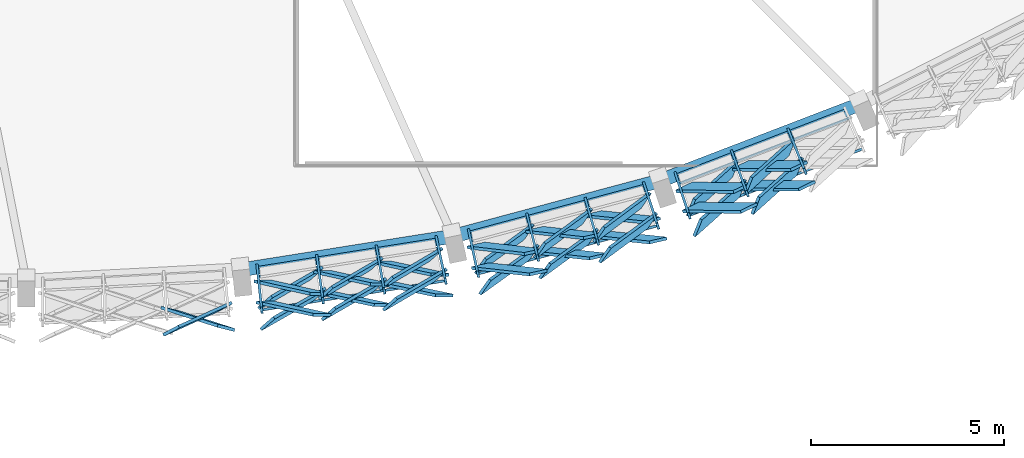
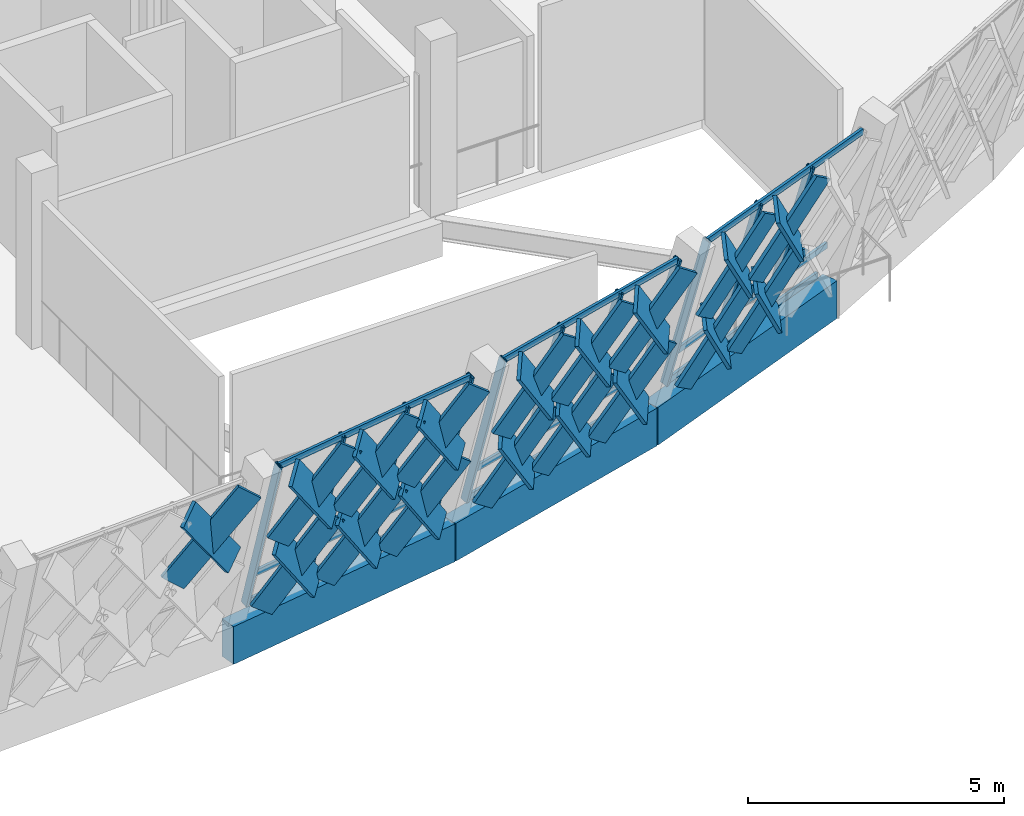
# One storey, part 47 of 107: 54 members, 3 beams, 4 elements without a shape of their own.
"""IFC4 building model written with IfcOpenShell, lengths in metres."""

from ifc_helpers import new_model, si_unit, direction, frame, origin, origin_2d, place, context, subcontext, project, spatial, rectangle, hollow_rectangle, extrude, material, material_profile, profile_set, type_object, element, aggregate, save


model = new_model("IFC4")

# Units and contexts
model_context = context("Model", 3, precision=1e-05, world=origin(), true_north=direction((0.0, 1.0)))
body_context = subcontext(model_context, "Body", "Model", "MODEL_VIEW")
ifc_project = project(units=[si_unit("LENGTHUNIT", "METRE"), si_unit("AREAUNIT", "SQUARE_METRE"), si_unit("VOLUMEUNIT", "CUBIC_METRE"), si_unit("PLANEANGLEUNIT", "RADIAN"), si_unit("MASSUNIT", "GRAM", prefix="KILO")], contexts=[model_context])

# Site, building, storey
site_placement = place(None, origin())
site = spatial("IfcSite", under=ifc_project, at=site_placement, CompositionType="ELEMENT")
building_placement = place(site_placement, origin())
building = spatial("IfcBuilding", under=site, at=building_placement, Name="Chiffa Square Polytechnic", CompositionType="ELEMENT")
storey_placement = place(building_placement, frame((0.0, 0.0, 13.800048828125)))
storey = spatial("IfcBuildingStorey", under=building, at=storey_placement, Name="L03", CompositionType="ELEMENT", Elevation=13.800048828125)

# Curtain wall, members
ifc_material_1 = material(Name="Aluminium EN AW-6060 T66 and glulam shading", Category="wood")
curtain_wall_type_1 = type_object("IfcCurtainWallType", Name="CW-PROW-LEAN-300", PredefinedType="USERDEFINED", material=ifc_material_1)
curtain_wall_1_placement = place(storey_placement, origin())
curtain_wall_1 = element("IfcCurtainWall", 1, at=curtain_wall_1_placement, inside=storey, type_object=curtain_wall_type_1, Name="Outward-leaning diamond-fin prow curtain wall CW-V1-L03-047", ObjectType="CURTAIN WALL", PredefinedType="USERDEFINED")
ifc_material_2 = material(Name="Aluminium EN AW-6060 T66", Category="aluminium")
ifc_material_profile_1 = material_profile(ifc_material_2, hollow_rectangle(XDim=0.06494140625, YDim=0.179931640625, WallThickness=0.00390625, at=origin_2d()), Name="ALU 65x180x4")
ifc_profile_set_1 = profile_set([ifc_material_profile_1], Name="Aluminium EN AW-6060 T66")
member_type_1 = type_object("IfcMemberType", Name="CWM-ALU-75X180", PredefinedType="MULLION", material=ifc_profile_set_1)
member_1_placement = place(storey_placement, frame((129.18505859375, 4.52001953125, 0.0), z_axis=(0.028414651045, -0.270917977705, 0.96218296439), x_axis=(0.994544759726, 0.10431069409, 0.0)))
member_1 = element("IfcMember", 2, at=member_1_placement, type_object=member_type_1, Name="Leaning prow mullion CW-V1-L03-047-M00", PredefinedType="MULLION", context=body_context, shape_type="SweptSolid", body=[
    extrude(hollow_rectangle(XDim=0.06494140625, YDim=0.179931640625, WallThickness=0.00390625, at=origin_2d()), origin(), (0.0, 0.0, 1.0), 4.11572265625),
])
member_2_placement = place(storey_placement, frame((130.734619140625, 4.765625, 0.0), z_axis=(0.03773211259, -0.269404910805, 0.96228752549), x_axis=(0.99033395934, 0.138703456979, 0.0)))
member_2 = element("IfcMember", 3, at=member_2_placement, type_object=member_type_1, Name="Leaning prow mullion CW-V1-L03-047-M01", PredefinedType="MULLION", context=body_context, shape_type="SweptSolid", body=[
    extrude(hollow_rectangle(XDim=0.06494140625, YDim=0.179931640625, WallThickness=0.00390625, at=origin_2d()), origin(), (0.0, 0.0, 1.0), 4.115234375),
])
member_3_placement = place(storey_placement, frame((132.2841796875, 5.01123046875, 0.0), z_axis=(0.047106602409, -0.267866889014, 0.962303641155), x_axis=(0.984886597407, 0.173200433741, 0.0)))
member_3 = element("IfcMember", 4, at=member_3_placement, type_object=member_type_1, Name="Leaning prow mullion CW-V1-L03-047-M02", PredefinedType="MULLION", context=body_context, shape_type="SweptSolid", body=[
    extrude(hollow_rectangle(XDim=0.06494140625, YDim=0.179931640625, WallThickness=0.00390625, at=origin_2d()), origin(), (0.0, 0.0, 1.0), 4.114990234375),
])
member_4_placement = place(storey_placement, frame((133.833984375, 5.257080078125, 0.0), z_axis=(0.056357148485, -0.266361680735, 0.96222415624), x_axis=(0.978341217953, 0.206998698676, 0.0)))
member_4 = element("IfcMember", 5, at=member_4_placement, type_object=member_type_1, Name="Leaning prow mullion CW-V1-L03-047-M03", PredefinedType="MULLION", context=body_context, shape_type="SweptSolid", body=[
    extrude(hollow_rectangle(XDim=0.06494140625, YDim=0.179931640625, WallThickness=0.00390625, at=origin_2d()), origin(), (0.0, 0.0, 1.0), 4.115478515625),
])

curtain_wall_type_2 = type_object("IfcCurtainWallType", Name="CW-PROW-LEAN-150", PredefinedType="USERDEFINED", material=ifc_material_1)
curtain_wall_2_placement = place(storey_placement, origin())
curtain_wall_2 = element("IfcCurtainWall", 6, at=curtain_wall_2_placement, inside=storey, type_object=curtain_wall_type_2, Name="Outward-leaning diamond-fin prow curtain wall CW-V1-L03-048", ObjectType="CURTAIN WALL", PredefinedType="USERDEFINED")
member_5_placement = place(storey_placement, frame((134.674072265625, 5.43505859375, 0.0), z_axis=(0.056358038932, -0.266306565017, 0.962239359451), x_axis=(0.978331878572, 0.207042834628, 0.0)))
member_5 = element("IfcMember", 7, at=member_5_placement, type_object=member_type_1, Name="Leaning prow mullion CW-V1-L03-048-M00", PredefinedType="MULLION", context=body_context, shape_type="SweptSolid", body=[
    extrude(hollow_rectangle(XDim=0.06494140625, YDim=0.179931640625, WallThickness=0.00390625, at=origin_2d()), origin(), (0.0, 0.0, 1.0), 4.115478515625),
])
member_6_placement = place(storey_placement, frame((136.189697265625, 5.84130859375, 0.0), z_axis=(0.065617897015, -0.263895484558, 0.962316717521), x_axis=(0.970449731897, 0.241303373084, 0.0)))
member_6 = element("IfcMember", 8, at=member_6_placement, type_object=member_type_1, Name="Leaning prow mullion CW-V1-L03-048-M01", PredefinedType="MULLION", context=body_context, shape_type="SweptSolid", body=[
    extrude(hollow_rectangle(XDim=0.06494140625, YDim=0.179931640625, WallThickness=0.00390625, at=origin_2d()), origin(), (0.0, 0.0, 1.0), 4.114990234375),
])
member_7_placement = place(storey_placement, frame((137.705322265625, 6.247802734375, 0.0), z_axis=(0.074812230329, -0.2615165038, 0.962295302095), x_axis=(0.961433358778, 0.275037991247, 0.0)))
member_7 = element("IfcMember", 9, at=member_7_placement, type_object=member_type_1, Name="Leaning prow mullion CW-V1-L03-048-M02", PredefinedType="MULLION", context=body_context, shape_type="SweptSolid", body=[
    extrude(hollow_rectangle(XDim=0.06494140625, YDim=0.179931640625, WallThickness=0.00390625, at=origin_2d()), origin(), (0.0, 0.0, 1.0), 4.115234375),
])
member_8_placement = place(storey_placement, frame((139.220947265625, 6.654052734375, 0.0), z_axis=(0.084058772907, -0.2590576297, 0.962197104128), x_axis=(0.951179621769, 0.308637857579, 0.0)))
member_8 = element("IfcMember", 10, at=member_8_placement, type_object=member_type_1, Name="Leaning prow mullion CW-V1-L03-048-M03", PredefinedType="MULLION", context=body_context, shape_type="SweptSolid", body=[
    extrude(hollow_rectangle(XDim=0.06494140625, YDim=0.179931640625, WallThickness=0.00390625, at=origin_2d()), origin(), (0.0, 0.0, 1.0), 4.115478515625),
])

curtain_wall_3_placement = place(storey_placement, origin())
curtain_wall_3 = element("IfcCurtainWall", 11, at=curtain_wall_3_placement, inside=storey, type_object=curtain_wall_type_1, Name="Outward-leaning diamond-fin prow curtain wall CW-V1-L03-049", ObjectType="CURTAIN WALL", PredefinedType="USERDEFINED")
member_9_placement = place(storey_placement, frame((140.037109375, 6.9189453125, 0.0), z_axis=(0.084060064581, -0.259002287904, 0.962211889556), x_axis=(0.951158867248, 0.308701812847, 0.0)))
member_9 = element("IfcMember", 12, at=member_9_placement, type_object=member_type_1, Name="Leaning prow mullion CW-V1-L03-049-M00", PredefinedType="MULLION", context=body_context, shape_type="SweptSolid", body=[
    extrude(hollow_rectangle(XDim=0.06494140625, YDim=0.179931640625, WallThickness=0.00390625, at=origin_2d()), origin(), (0.0, 0.0, 1.0), 4.115478515625),
])
member_10_placement = place(storey_placement, frame((141.502197265625, 7.481201171875, 0.0), z_axis=(0.092966116473, -0.255641988438, 0.962291263046), x_axis=(0.939787055482, 0.341760574597, 0.0)))
member_10 = element("IfcMember", 13, at=member_10_placement, type_object=member_type_1, Name="Leaning prow mullion CW-V1-L03-049-M01", PredefinedType="MULLION", context=body_context, shape_type="SweptSolid", body=[
    extrude(hollow_rectangle(XDim=0.06494140625, YDim=0.179931640625, WallThickness=0.00390625, at=origin_2d()), origin(), (0.0, 0.0, 1.0), 4.115234375),
])
member_11_placement = place(storey_placement, frame((142.9677734375, 8.043701171875, 0.0), z_axis=(0.101688266541, -0.252262840916, 0.962300865395), x_axis=(0.927480514291, 0.373871496118, 0.0)))
member_11 = element("IfcMember", 14, at=member_11_placement, type_object=member_type_1, Name="Leaning prow mullion CW-V1-L03-049-M02", PredefinedType="MULLION", context=body_context, shape_type="SweptSolid", body=[
    extrude(hollow_rectangle(XDim=0.06494140625, YDim=0.179931640625, WallThickness=0.00390625, at=origin_2d()), origin(), (0.0, 0.0, 1.0), 4.114990234375),
])

curtain_wall_4_placement = place(storey_placement, origin())
curtain_wall_4 = element("IfcCurtainWall", 15, at=curtain_wall_4_placement, inside=storey, type_object=curtain_wall_type_2, Name="Outward-leaning diamond-fin prow curtain wall CW-V1-L03-046", ObjectType="CURTAIN WALL", PredefinedType="USERDEFINED")
ifc_material_3 = material(Name="Glulam GL28h", Category="wood")
ifc_material_profile_2 = material_profile(ifc_material_3, rectangle(XDim=0.080078125, YDim=0.580078125, at=origin_2d()), Name="GL28h 80x580")
ifc_profile_set_2 = profile_set([ifc_material_profile_2], Name="Glulam GL28h")
member_type_2 = type_object("IfcMemberType", Name="CWM-GL-80X580", PredefinedType="MULLION", material=ifc_profile_set_2)
member_12_placement = place(storey_placement, frame((126.909912109375, 3.419921875, 1.97998046875), z_axis=(0.592387705561, -0.190434963388, 0.782822668949), x_axis=(0.26662170968, 0.963250919495, 0.032565779899)))
member_12 = element("IfcMember", 16, at=member_12_placement, type_object=member_type_2, Name="Diamond glulam fin CW-V1-L03-046-DF06A", PredefinedType="MULLION", context=body_context, shape_type="SweptSolid", body=[
    extrude(rectangle(XDim=0.080078125, YDim=0.580078125, at=origin_2d()), origin(), (0.0, 0.0, 1.0), 2.47802734375),
])
member_13_placement = place(storey_placement, frame((128.322021484375, 3.493896484375, 1.97998046875), z_axis=(-0.558958630223, -0.252743918325, 0.789737780184), x_axis=(0.449103726799, -0.892902625256, 0.032105208091)))
member_13 = element("IfcMember", 17, at=member_13_placement, type_object=member_type_2, Name="Diamond glulam fin CW-V1-L03-046-DF06B", PredefinedType="MULLION", context=body_context, shape_type="SweptSolid", body=[
    extrude(rectangle(XDim=0.080078125, YDim=0.580078125, at=origin_2d()), origin(), (0.0, 0.0, 1.0), 2.45654296875),
])
aggregate(curtain_wall_4, [member_12, member_13])

# Member
member_14_placement = place(storey_placement, frame((129.330078125, 4.152099609375, 0.0400390625), z_axis=(0.594644185815, -0.132919291073, 0.792925440591), x_axis=(0.094404875671, 0.990960198147, 0.095318440701)))
member_14 = element("IfcMember", 18, at=member_14_placement, type_object=member_type_2, Name="Diamond glulam fin CW-V1-L03-047-DF01A", PredefinedType="MULLION", context=body_context, shape_type="SweptSolid", body=[
    extrude(rectangle(XDim=0.080078125, YDim=0.580078125, at=origin_2d()), origin(), (0.0, 0.0, 1.0), 2.446533203125),
])

member_15_placement = place(storey_placement, frame((130.7099609375, 4.37109375, 0.0400390625), z_axis=(-0.535140171109, -0.3099481235, 0.785848050201), x_axis=(0.601402186735, -0.793067694014, 0.096742144398)))
member_15 = element("IfcMember", 19, at=member_15_placement, type_object=member_type_2, Name="Diamond glulam fin CW-V1-L03-047-DF01B", PredefinedType="MULLION", context=body_context, shape_type="SweptSolid", body=[
    extrude(rectangle(XDim=0.080078125, YDim=0.580078125, at=origin_2d()), origin(), (0.0, 0.0, 1.0), 2.468505859375),
])

member_16_placement = place(storey_placement, frame((129.388916015625, 3.60595703125, 1.97998046875), z_axis=(0.599042211403, -0.131121254039, 0.789908631233), x_axis=(0.090478970271, 0.9912674188, 0.095929455141)))
member_16 = element("IfcMember", 20, at=member_16_placement, type_object=member_type_2, Name="Diamond glulam fin CW-V1-L03-047-DF02A", PredefinedType="MULLION", context=body_context, shape_type="SweptSolid", body=[
    extrude(rectangle(XDim=0.080078125, YDim=0.580078125, at=origin_2d()), origin(), (0.0, 0.0, 1.0), 2.455810546875),
])

member_17_placement = place(storey_placement, frame((130.784912109375, 3.826904296875, 1.97998046875), z_axis=(-0.53986821085, -0.30943906027, 0.782808905732), x_axis=(0.59740203539, -0.796011997169, 0.097343250797)))
member_17 = element("IfcMember", 21, at=member_17_placement, type_object=member_type_2, Name="Diamond glulam fin CW-V1-L03-047-DF02B", PredefinedType="MULLION", context=body_context, shape_type="SweptSolid", body=[
    extrude(rectangle(XDim=0.080078125, YDim=0.580078125, at=origin_2d()), origin(), (0.0, 0.0, 1.0), 2.478271484375),
])

member_18_placement = place(storey_placement, frame((130.8798828125, 4.39794921875, 0.0400390625), z_axis=(0.599806227658, -0.13102756116, 0.78934420089), x_axis=(0.090153686684, 0.991286052982, 0.096043083776)))
member_18 = element("IfcMember", 22, at=member_18_placement, type_object=member_type_2, Name="Diamond glulam fin CW-V1-L03-047-DF03A", PredefinedType="MULLION", context=body_context, shape_type="SweptSolid", body=[
    extrude(rectangle(XDim=0.080078125, YDim=0.580078125, at=origin_2d()), origin(), (0.0, 0.0, 1.0), 2.457763671875),
])

member_19_placement = place(storey_placement, frame((132.260009765625, 4.615966796875, 0.0400390625), z_axis=(-0.530164526465, -0.309635156266, 0.789336205227), x_axis=(0.60474086052, -0.79060983347, 0.096044691879)))
member_19 = element("IfcMember", 23, at=member_19_placement, type_object=member_type_2, Name="Diamond glulam fin CW-V1-L03-047-DF03B", PredefinedType="MULLION", context=body_context, shape_type="SweptSolid", body=[
    extrude(rectangle(XDim=0.080078125, YDim=0.580078125, at=origin_2d()), origin(), (0.0, 0.0, 1.0), 2.457763671875),
])

member_20_placement = place(storey_placement, frame((130.95703125, 3.85498046875, 1.97998046875), z_axis=(0.604009460327, -0.129352837071, 0.786409826603), x_axis=(0.086536567161, 0.991551307239, 0.096630366119)))
member_20 = element("IfcMember", 24, at=member_20_placement, type_object=member_type_2, Name="Diamond glulam fin CW-V1-L03-047-DF04A", PredefinedType="MULLION", context=body_context, shape_type="SweptSolid", body=[
    extrude(rectangle(XDim=0.080078125, YDim=0.580078125, at=origin_2d()), origin(), (0.0, 0.0, 1.0), 2.466796875),
])

member_21_placement = place(storey_placement, frame((132.35400390625, 4.075927734375, 1.97998046875), z_axis=(-0.534939739728, -0.309566570299, 0.786134857014), x_axis=(0.601146213644, -0.793268693783, 0.096685103741)))
member_21 = element("IfcMember", 25, at=member_21_placement, type_object=member_type_2, Name="Diamond glulam fin CW-V1-L03-047-DF04B", PredefinedType="MULLION", context=body_context, shape_type="SweptSolid", body=[
    extrude(rectangle(XDim=0.080078125, YDim=0.580078125, at=origin_2d()), origin(), (0.0, 0.0, 1.0), 2.4677734375),
])

member_22_placement = place(storey_placement, frame((132.429931640625, 4.64306640625, 0.0400390625), z_axis=(0.604605647733, -0.128894168684, 0.786026910486), x_axis=(0.085675495161, 0.991618650066, 0.096706578733)))
member_22 = element("IfcMember", 26, at=member_22_placement, type_object=member_type_2, Name="Diamond glulam fin CW-V1-L03-047-DF05A", PredefinedType="MULLION", context=body_context, shape_type="SweptSolid", body=[
    extrude(rectangle(XDim=0.080078125, YDim=0.580078125, at=origin_2d()), origin(), (0.0, 0.0, 1.0), 2.468017578125),
])

member_23_placement = place(storey_placement, frame((133.81005859375, 4.862060546875, 0.0400390625), z_axis=(-0.524826903271, -0.309807516095, 0.792827865664), x_axis=(0.608889828108, -0.787504784482, 0.095338301036)))
member_23 = element("IfcMember", 27, at=member_23_placement, type_object=member_type_2, Name="Diamond glulam fin CW-V1-L03-047-DF05B", PredefinedType="MULLION", context=body_context, shape_type="SweptSolid", body=[
    extrude(rectangle(XDim=0.080078125, YDim=0.580078125, at=origin_2d()), origin(), (0.0, 0.0, 1.0), 2.44677734375),
])

member_24_placement = place(storey_placement, frame((132.52587890625, 4.10400390625, 1.97998046875), z_axis=(0.608978483424, -0.127490399215, 0.782873811565), x_axis=(0.082516457881, 0.991825495019, 0.097330476264)))
member_24 = element("IfcMember", 28, at=member_24_placement, type_object=member_type_2, Name="Diamond glulam fin CW-V1-L03-047-DF06A", PredefinedType="MULLION", context=body_context, shape_type="SweptSolid", body=[
    extrude(rectangle(XDim=0.080078125, YDim=0.580078125, at=origin_2d()), origin(), (0.0, 0.0, 1.0), 2.47802734375),
])

member_25_placement = place(storey_placement, frame((133.922119140625, 4.324951171875, 1.97998046875), z_axis=(-0.52930671811, -0.3098308057, 0.789834963776), x_axis=(0.605583355151, -0.789976893133, 0.095944297796)))
member_25 = element("IfcMember", 29, at=member_25_placement, type_object=member_type_2, Name="Diamond glulam fin CW-V1-L03-047-DF06B", PredefinedType="MULLION", context=body_context, shape_type="SweptSolid", body=[
    extrude(rectangle(XDim=0.080078125, YDim=0.580078125, at=origin_2d()), origin(), (0.0, 0.0, 1.0), 2.4560546875),
])

member_26_placement = place(storey_placement, frame((134.85693359375, 5.083984375, 0.0400390625), z_axis=(0.605061257177, -0.069868505448, 0.793107348982), x_axis=(-0.093113768587, 0.983096551284, 0.157641989816)))
member_26 = element("IfcMember", 30, at=member_26_placement, type_object=member_type_2, Name="Diamond glulam fin CW-V1-L03-048-DF01A", PredefinedType="MULLION", context=body_context, shape_type="SweptSolid", body=[
    extrude(rectangle(XDim=0.080078125, YDim=0.580078125, at=origin_2d()), origin(), (0.0, 0.0, 1.0), 2.446044921875),
])

member_27_placement = place(storey_placement, frame((136.2060546875, 5.446044921875, 0.0400390625), z_axis=(-0.49990961203, -0.36412802997, 0.785812418832), x_axis=(0.733095587007, -0.66102064743, 0.160070496914)))
member_27 = element("IfcMember", 31, at=member_27_placement, type_object=member_type_2, Name="Diamond glulam fin CW-V1-L03-048-DF01B", PredefinedType="MULLION", context=body_context, shape_type="SweptSolid", body=[
    extrude(rectangle(XDim=0.080078125, YDim=0.580078125, at=origin_2d()), origin(), (0.0, 0.0, 1.0), 2.46875),
])

member_28_placement = place(storey_placement, frame((134.971923828125, 4.547119140625, 1.97998046875), z_axis=(0.609545333417, -0.067594720601, 0.78986419102), x_axis=(-0.096723923936, 0.982572941009, 0.15872900849)))
member_28 = element("IfcMember", 32, at=member_28_placement, type_object=member_type_2, Name="Diamond glulam fin CW-V1-L03-048-DF02A", PredefinedType="MULLION", context=body_context, shape_type="SweptSolid", body=[
    extrude(rectangle(XDim=0.080078125, YDim=0.580078125, at=origin_2d()), origin(), (0.0, 0.0, 1.0), 2.4560546875),
])

member_29_placement = place(storey_placement, frame((136.3369140625, 4.9130859375, 1.97998046875), z_axis=(-0.504766793452, -0.363995570219, 0.782762869002), x_axis=(0.72929578184, -0.664969674735, 0.161068290713)))
member_29 = element("IfcMember", 33, at=member_29_placement, type_object=member_type_2, Name="Diamond glulam fin CW-V1-L03-048-DF02B", PredefinedType="MULLION", context=body_context, shape_type="SweptSolid", body=[
    extrude(rectangle(XDim=0.080078125, YDim=0.580078125, at=origin_2d()), origin(), (0.0, 0.0, 1.0), 2.478271484375),
])

member_30_placement = place(storey_placement, frame((136.373046875, 5.489990234375, 0.0400390625), z_axis=(0.610061069902, -0.067166332777, 0.789502485577), x_axis=(-0.097403487997, 0.982486333165, 0.158849506358)))
member_30 = element("IfcMember", 34, at=member_30_placement, type_object=member_type_2, Name="Diamond glulam fin CW-V1-L03-048-DF03A", PredefinedType="MULLION", context=body_context, shape_type="SweptSolid", body=[
    extrude(rectangle(XDim=0.080078125, YDim=0.580078125, at=origin_2d()), origin(), (0.0, 0.0, 1.0), 2.457275390625),
])

member_31_placement = place(storey_placement, frame((137.721923828125, 5.85205078125, 0.0400390625), z_axis=(-0.494744701855, -0.363408859314, 0.789405903803), x_axis=(0.73648777685, -0.657527469947, 0.158881656638)))
member_31 = element("IfcMember", 35, at=member_31_placement, type_object=member_type_2, Name="Diamond glulam fin CW-V1-L03-048-DF03B", PredefinedType="MULLION", context=body_context, shape_type="SweptSolid", body=[
    extrude(rectangle(XDim=0.080078125, YDim=0.580078125, at=origin_2d()), origin(), (0.0, 0.0, 1.0), 2.45751953125),
])

member_32_placement = place(storey_placement, frame((136.506103515625, 4.958984375, 1.97998046875), z_axis=(0.614390710986, -0.065604934995, 0.786269703574), x_axis=(-0.09979224396, 0.982072859062, 0.159920003562)))
member_32 = element("IfcMember", 36, at=member_32_placement, type_object=member_type_2, Name="Diamond glulam fin CW-V1-L03-048-DF04A", PredefinedType="MULLION", context=body_context, shape_type="SweptSolid", body=[
    extrude(rectangle(XDim=0.080078125, YDim=0.580078125, at=origin_2d()), origin(), (0.0, 0.0, 1.0), 2.46728515625),
])

member_33_placement = place(storey_placement, frame((137.8720703125, 5.324951171875, 1.97998046875), z_axis=(-0.499387778909, -0.363928720195, 0.786236435745), x_axis=(0.73334058067, -0.660782627525, 0.159930959804)))
member_33 = element("IfcMember", 37, at=member_33_placement, type_object=member_type_2, Name="Diamond glulam fin CW-V1-L03-048-DF04B", PredefinedType="MULLION", context=body_context, shape_type="SweptSolid", body=[
    extrude(rectangle(XDim=0.080078125, YDim=0.580078125, at=origin_2d()), origin(), (0.0, 0.0, 1.0), 2.46728515625),
])

member_34_placement = place(storey_placement, frame((137.888916015625, 5.89697265625, 0.0400390625), z_axis=(0.61496055735, -0.065175137873, 0.785859856658), x_axis=(-0.10046150491, 0.981982645672, 0.160054895674)))
member_34 = element("IfcMember", 38, at=member_34_placement, type_object=member_type_2, Name="Diamond glulam fin CW-V1-L03-048-DF05A", PredefinedType="MULLION", context=body_context, shape_type="SweptSolid", body=[
    extrude(rectangle(XDim=0.080078125, YDim=0.580078125, at=origin_2d()), origin(), (0.0, 0.0, 1.0), 2.468505859375),
])

member_35_placement = place(storey_placement, frame((139.238037109375, 6.259033203125, 0.0400390625), z_axis=(-0.489236562343, -0.363310284212, 0.792876549945), x_axis=(0.740631598906, -0.653138053922, 0.157719742651)))
member_35 = element("IfcMember", 39, at=member_35_placement, type_object=member_type_2, Name="Diamond glulam fin CW-V1-L03-048-DF05B", PredefinedType="MULLION", context=body_context, shape_type="SweptSolid", body=[
    extrude(rectangle(XDim=0.080078125, YDim=0.580078125, at=origin_2d()), origin(), (0.0, 0.0, 1.0), 2.44677734375),
])

member_36_placement = place(storey_placement, frame((138.041015625, 5.3701171875, 1.97998046875), z_axis=(0.619012296813, -0.062955412647, 0.782854004532), x_axis=(-0.103844288586, 0.981469779171, 0.161038617427)))
member_36 = element("IfcMember", 40, at=member_36_placement, type_object=member_type_2, Name="Diamond glulam fin CW-V1-L03-048-DF06A", PredefinedType="MULLION", context=body_context, shape_type="SweptSolid", body=[
    extrude(rectangle(XDim=0.080078125, YDim=0.580078125, at=origin_2d()), origin(), (0.0, 0.0, 1.0), 2.47802734375),
])

member_37_placement = place(storey_placement, frame((139.406982421875, 5.736083984375, 1.97998046875), z_axis=(-0.494144115027, -0.363551724209, 0.789716238537), x_axis=(0.737056743596, -0.656914608957, 0.158778314825)))
member_37 = element("IfcMember", 41, at=member_37_placement, type_object=member_type_2, Name="Diamond glulam fin CW-V1-L03-048-DF06B", PredefinedType="MULLION", context=body_context, shape_type="SweptSolid", body=[
    extrude(rectangle(XDim=0.080078125, YDim=0.580078125, at=origin_2d()), origin(), (0.0, 0.0, 1.0), 2.45654296875),
])

member_38_placement = place(storey_placement, frame((140.2548828125, 6.589111328125, 0.0400390625), z_axis=(0.609429034737, -0.00618608385, 0.792816488215), x_axis=(-0.27462944923, 0.936416180815, 0.21841108471)))
member_38 = element("IfcMember", 42, at=member_38_placement, type_object=member_type_2, Name="Diamond glulam fin CW-V1-L03-049-DF01A", PredefinedType="MULLION", context=body_context, shape_type="SweptSolid", body=[
    extrude(rectangle(XDim=0.080078125, YDim=0.580078125, at=origin_2d()), origin(), (0.0, 0.0, 1.0), 2.44677734375),
])

member_39_placement = place(storey_placement, frame((141.56005859375, 7.090087890625, 0.0400390625), z_axis=(-0.459294860595, -0.414403608343, 0.785695793818), x_axis=(0.834450406213, -0.504525101721, 0.22169109433)))
member_39 = element("IfcMember", 43, at=member_39_placement, type_object=member_type_2, Name="Diamond glulam fin CW-V1-L03-049-DF01B", PredefinedType="MULLION", context=body_context, shape_type="SweptSolid", body=[
    extrude(rectangle(XDim=0.080078125, YDim=0.580078125, at=origin_2d()), origin(), (0.0, 0.0, 1.0), 2.468994140625),
])

member_40_placement = place(storey_placement, frame((140.426025390625, 6.06689453125, 1.97998046875), z_axis=(0.613489363476, -0.003577776946, 0.789694878047), x_axis=(-0.277552114925, 0.93521494396, 0.219858663908)))
member_40 = element("IfcMember", 44, at=member_40_placement, type_object=member_type_2, Name="Diamond glulam fin CW-V1-L03-049-DF02A", PredefinedType="MULLION", context=body_context, shape_type="SweptSolid", body=[
    extrude(rectangle(XDim=0.080078125, YDim=0.580078125, at=origin_2d()), origin(), (0.0, 0.0, 1.0), 2.45654296875),
])

member_41_placement = place(storey_placement, frame((141.74609375, 6.573974609375, 1.97998046875), z_axis=(-0.463966463223, -0.415117521223, 0.782567929689), x_axis=(0.831501203535, -0.508752227844, 0.223107416246)))
member_41 = element("IfcMember", 45, at=member_41_placement, type_object=member_type_2, Name="Diamond glulam fin CW-V1-L03-049-DF02B", PredefinedType="MULLION", context=body_context, shape_type="SweptSolid", body=[
    extrude(rectangle(XDim=0.080078125, YDim=0.580078125, at=origin_2d()), origin(), (0.0, 0.0, 1.0), 2.47900390625),
])

member_42_placement = place(storey_placement, frame((141.720947265625, 7.15087890625, 0.0400390625), z_axis=(0.613985649654, -0.003178699367, 0.789310786629), x_axis=(-0.278026670897, 0.935032325156, 0.22003572706)))
member_42 = element("IfcMember", 46, at=member_42_placement, type_object=member_type_2, Name="Diamond glulam fin CW-V1-L03-049-DF03A", PredefinedType="MULLION", context=body_context, shape_type="SweptSolid", body=[
    extrude(rectangle(XDim=0.080078125, YDim=0.580078125, at=origin_2d()), origin(), (0.0, 0.0, 1.0), 2.457763671875),
])

member_43_placement = place(storey_placement, frame((143.02587890625, 7.652099609375, 0.0400390625), z_axis=(-0.454349143787, -0.413333581736, 0.78912749651), x_axis=(0.837421891218, -0.500271625486, 0.220120141838)))
member_43 = element("IfcMember", 47, at=member_43_placement, type_object=member_type_2, Name="Diamond glulam fin CW-V1-L03-049-DF03B", PredefinedType="MULLION", context=body_context, shape_type="SweptSolid", body=[
    extrude(rectangle(XDim=0.080078125, YDim=0.580078125, at=origin_2d()), origin(), (0.0, 0.0, 1.0), 2.458251953125),
])

member_44_placement = place(storey_placement, frame((141.908935546875, 6.635986328125, 1.97998046875), z_axis=(0.618048540404, -0.000791482043, 0.786139539307), x_axis=(-0.280531427913, 0.93394044469, 0.221488969762)))
member_44 = element("IfcMember", 48, at=member_44_placement, type_object=member_type_2, Name="Diamond glulam fin CW-V1-L03-049-DF04A", PredefinedType="MULLION", context=body_context, shape_type="SweptSolid", body=[
    extrude(rectangle(XDim=0.080078125, YDim=0.580078125, at=origin_2d()), origin(), (0.0, 0.0, 1.0), 2.4677734375),
])

member_45_placement = place(storey_placement, frame((143.22998046875, 7.14306640625, 1.97998046875), z_axis=(-0.458839540365, -0.413816467071, 0.786271077796), x_axis=(0.834496588707, -0.504563814311, 0.221428997028)))
member_45 = element("IfcMember", 49, at=member_45_placement, type_object=member_type_2, Name="Diamond glulam fin CW-V1-L03-049-DF04B", PredefinedType="MULLION", context=body_context, shape_type="SweptSolid", body=[
    extrude(rectangle(XDim=0.080078125, YDim=0.580078125, at=origin_2d()), origin(), (0.0, 0.0, 1.0), 2.46728515625),
])

ifc_material_profile_3 = material_profile(ifc_material_2, hollow_rectangle(XDim=0.06494140625, YDim=0.139892578125, WallThickness=0.00390625, at=origin_2d()), Name="ALU 65x140x4")
ifc_profile_set_3 = profile_set([ifc_material_profile_3], Name="Aluminium EN AW-6060 T66")
member_type_3 = type_object("IfcMemberType", Name="CWT-ALU-75X140", PredefinedType="USERDEFINED", material=ifc_profile_set_3)
member_46_placement = place(storey_placement, frame((129.186279296875, 4.5087890625, 0.0400390625), z_axis=(0.987669023707, 0.156556378377, 0.0), x_axis=(-0.156556378377, 0.987669023707, 0.0)))
member_46 = element("IfcMember", 50, at=member_46_placement, type_object=member_type_3, Name="Leaning prow transom CW-V1-L03-047-T01", ObjectType="TRANSOM", PredefinedType="USERDEFINED", context=body_context, shape_type="SweptSolid", body=[
    extrude(hollow_rectangle(XDim=0.06494140625, YDim=0.139892578125, WallThickness=0.00390625, at=origin_2d()), origin(), (0.0, 0.0, 1.0), 4.7080078125),
])

member_47_placement = place(storey_placement, frame((129.210205078125, 4.28076171875, 0.849853515625), z_axis=(0.987664041604, 0.156587805792, 0.0), x_axis=(-0.156587805792, 0.987664041604, 0.0)))
member_47 = element("IfcMember", 51, at=member_47_placement, type_object=member_type_3, Name="Leaning prow transom CW-V1-L03-047-T02", ObjectType="TRANSOM", PredefinedType="USERDEFINED", context=body_context, shape_type="SweptSolid", body=[
    extrude(hollow_rectangle(XDim=0.06494140625, YDim=0.139892578125, WallThickness=0.00390625, at=origin_2d()), origin(), (0.0, 0.0, 1.0), 4.73193359375),
])

member_48_placement = place(storey_placement, frame((129.30078125, 3.416259765625, 3.919921875), z_axis=(0.987640753389, 0.156734623635, 0.0), x_axis=(-0.156734623635, 0.987640753389, 0.0)))
member_48 = element("IfcMember", 52, at=member_48_placement, type_object=member_type_3, Name="Leaning prow transom CW-V1-L03-047-T03", ObjectType="TRANSOM", PredefinedType="USERDEFINED", context=body_context, shape_type="SweptSolid", body=[
    extrude(hollow_rectangle(XDim=0.06494140625, YDim=0.139892578125, WallThickness=0.00390625, at=origin_2d()), origin(), (0.0, 0.0, 1.0), 4.822509765625),
])

aggregate(curtain_wall_1, [member_1, member_2, member_3, member_4, member_46, member_47, member_48, member_14, member_15, member_16, member_17, member_18, member_19, member_20, member_21, member_22, member_23, member_24, member_25])

member_49_placement = place(storey_placement, frame((134.67626953125, 5.423828125, 0.0400390625), z_axis=(0.965885549343, 0.258969313954, 0.0), x_axis=(-0.258969313954, 0.965885549343, 0.0)))
member_49 = element("IfcMember", 53, at=member_49_placement, type_object=member_type_3, Name="Leaning prow transom CW-V1-L03-048-T01", ObjectType="TRANSOM", PredefinedType="USERDEFINED", context=body_context, shape_type="SweptSolid", body=[
    extrude(hollow_rectangle(XDim=0.06494140625, YDim=0.139892578125, WallThickness=0.00390625, at=origin_2d()), origin(), (0.0, 0.0, 1.0), 4.708984375),
])

member_50_placement = place(storey_placement, frame((134.723876953125, 5.19970703125, 0.849853515625), z_axis=(0.965891626435, 0.25894664698, 0.0), x_axis=(-0.25894664698, 0.965891626435, 0.0)))
member_50 = element("IfcMember", 54, at=member_50_placement, type_object=member_type_3, Name="Leaning prow transom CW-V1-L03-048-T02", ObjectType="TRANSOM", PredefinedType="USERDEFINED", context=body_context, shape_type="SweptSolid", body=[
    extrude(hollow_rectangle(XDim=0.06494140625, YDim=0.139892578125, WallThickness=0.00390625, at=origin_2d()), origin(), (0.0, 0.0, 1.0), 4.73291015625),
])

member_51_placement = place(storey_placement, frame((134.90380859375, 4.35009765625, 3.919921875), z_axis=(0.965914163673, 0.258862566656, 0.0), x_axis=(-0.258862566656, 0.965914163673, 0.0)))
member_51 = element("IfcMember", 55, at=member_51_placement, type_object=member_type_3, Name="Leaning prow transom CW-V1-L03-048-T03", ObjectType="TRANSOM", PredefinedType="USERDEFINED", context=body_context, shape_type="SweptSolid", body=[
    extrude(hollow_rectangle(XDim=0.06494140625, YDim=0.139892578125, WallThickness=0.00390625, at=origin_2d()), origin(), (0.0, 0.0, 1.0), 4.82421875),
])

aggregate(curtain_wall_2, [member_5, member_6, member_7, member_8, member_49, member_50, member_51, member_26, member_27, member_28, member_29, member_30, member_31, member_32, member_33, member_34, member_35, member_36, member_37])

member_52_placement = place(storey_placement, frame((140.04052734375, 6.908203125, 0.0400390625), z_axis=(0.933604553523, 0.358305090169, 0.0), x_axis=(-0.358305090169, 0.933604553523, 0.0)))
member_52 = element("IfcMember", 56, at=member_52_placement, type_object=member_type_3, Name="Leaning prow transom CW-V1-L03-049-T01", ObjectType="TRANSOM", PredefinedType="USERDEFINED", context=body_context, shape_type="SweptSolid", body=[
    extrude(hollow_rectangle(XDim=0.06494140625, YDim=0.139892578125, WallThickness=0.00390625, at=origin_2d()), origin(), (0.0, 0.0, 1.0), 4.709716796875),
])

member_53_placement = place(storey_placement, frame((140.111328125, 6.690185546875, 0.849853515625), z_axis=(0.933609873853, 0.358291227138, 0.0), x_axis=(-0.358291227138, 0.933609873853, 0.0)))
member_53 = element("IfcMember", 57, at=member_53_placement, type_object=member_type_3, Name="Leaning prow transom CW-V1-L03-049-T02", ObjectType="TRANSOM", PredefinedType="USERDEFINED", context=body_context, shape_type="SweptSolid", body=[
    extrude(hollow_rectangle(XDim=0.06494140625, YDim=0.139892578125, WallThickness=0.00390625, at=origin_2d()), origin(), (0.0, 0.0, 1.0), 4.733642578125),
])

member_54_placement = place(storey_placement, frame((140.37939453125, 5.86376953125, 3.919921875), z_axis=(0.93360622291, 0.358300740362, 0.0), x_axis=(-0.358300740362, 0.93360622291, 0.0)))
member_54 = element("IfcMember", 58, at=member_54_placement, type_object=member_type_3, Name="Leaning prow transom CW-V1-L03-049-T03", ObjectType="TRANSOM", PredefinedType="USERDEFINED", context=body_context, shape_type="SweptSolid", body=[
    extrude(hollow_rectangle(XDim=0.06494140625, YDim=0.139892578125, WallThickness=0.00390625, at=origin_2d()), origin(), (0.0, 0.0, 1.0), 4.82421875),
])

aggregate(curtain_wall_3, [member_9, member_10, member_11, member_52, member_53, member_54, member_38, member_39, member_40, member_41, member_42, member_43, member_44, member_45])

# Beams
ifc_material_4 = material(Name="Glulam GL32c", Category="wood")
ifc_material_profile_4 = material_profile(ifc_material_4, rectangle(XDim=0.360107421875, YDim=0.89990234375, at=origin_2d()), Name="GL32c 360x900")
ifc_profile_set_4 = profile_set([ifc_material_profile_4], Name="Glulam GL32c")
beam_type = type_object("IfcBeamType", Name="RB-GL-360X900", PredefinedType="SPANDREL", material=ifc_profile_set_4)
beam_1_placement = place(storey_placement, frame((128.760009765625, 4.452880859375, -0.7099609375), z_axis=(0.987684621612, 0.156457943967, 0.0), x_axis=(-0.156457943967, 0.987684621612, 0.0)))
element("IfcBeam", 59, at=beam_1_placement, inside=storey, type_object=beam_type, Name="Prow perimeter edge beam RB-V1-PROW-L03-04", PredefinedType="SPANDREL", context=body_context, shape_type="SweptSolid", body=[
    extrude(rectangle(XDim=0.360107421875, YDim=0.89990234375, at=origin_2d()), origin(), (0.0, 0.0, 1.0), 5.567626953125),
])
beam_2_placement = place(storey_placement, frame((134.259033203125, 5.323974609375, -0.7099609375), z_axis=(0.965918293503, 0.258847156205, 0.0), x_axis=(-0.258847156205, 0.965918293503, 0.0)))
element("IfcBeam", 60, at=beam_2_placement, inside=storey, type_object=beam_type, Name="Prow perimeter edge beam RB-V1-PROW-L03-05", PredefinedType="SPANDREL", context=body_context, shape_type="SweptSolid", body=[
    extrude(rectangle(XDim=0.360107421875, YDim=0.89990234375, at=origin_2d()), origin(), (0.0, 0.0, 1.0), 5.566650390625),
])
beam_3_placement = place(storey_placement, frame((139.635986328125, 6.764892578125, -0.7099609375), z_axis=(0.933592883608, 0.358335495977, 0.0), x_axis=(-0.358335495977, 0.933592883608, 0.0)))
element("IfcBeam", 61, at=beam_3_placement, inside=storey, type_object=beam_type, Name="Prow perimeter edge beam RB-V1-PROW-L03-06", PredefinedType="SPANDREL", context=body_context, shape_type="SweptSolid", body=[
    extrude(rectangle(XDim=0.360107421875, YDim=0.89990234375, at=origin_2d()), origin(), (0.0, 0.0, 1.0), 5.567626953125),
])

save(model, "model.ifc")
